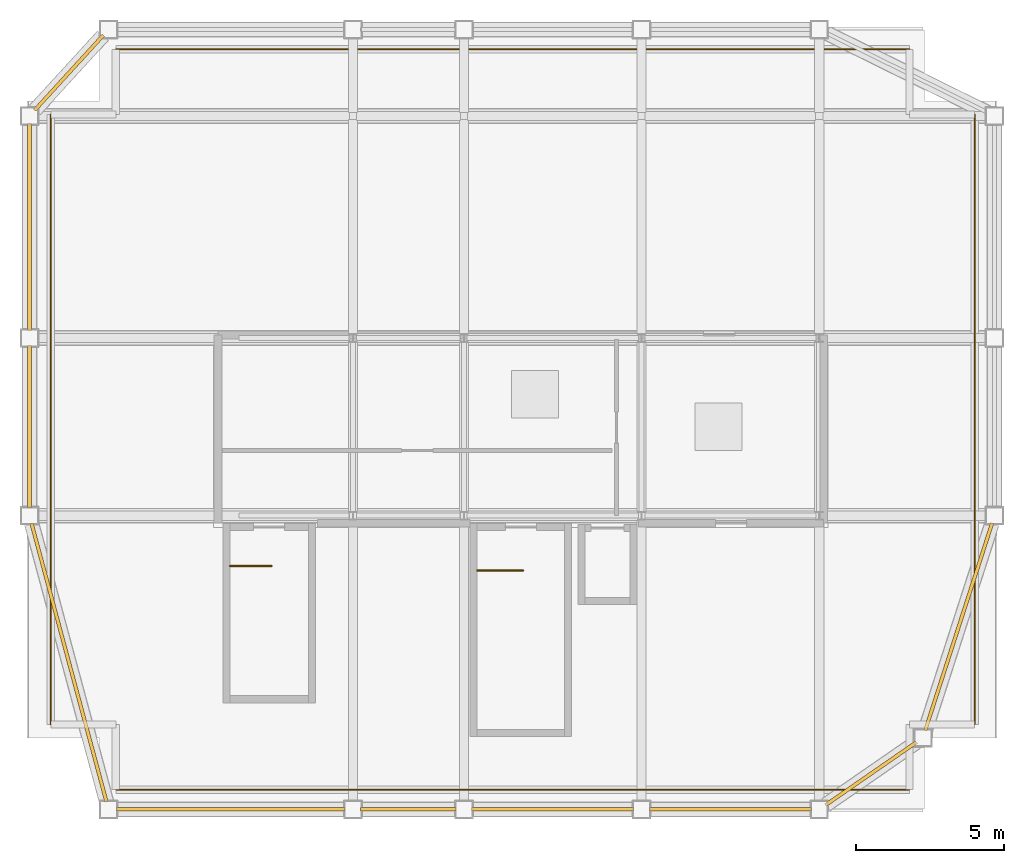
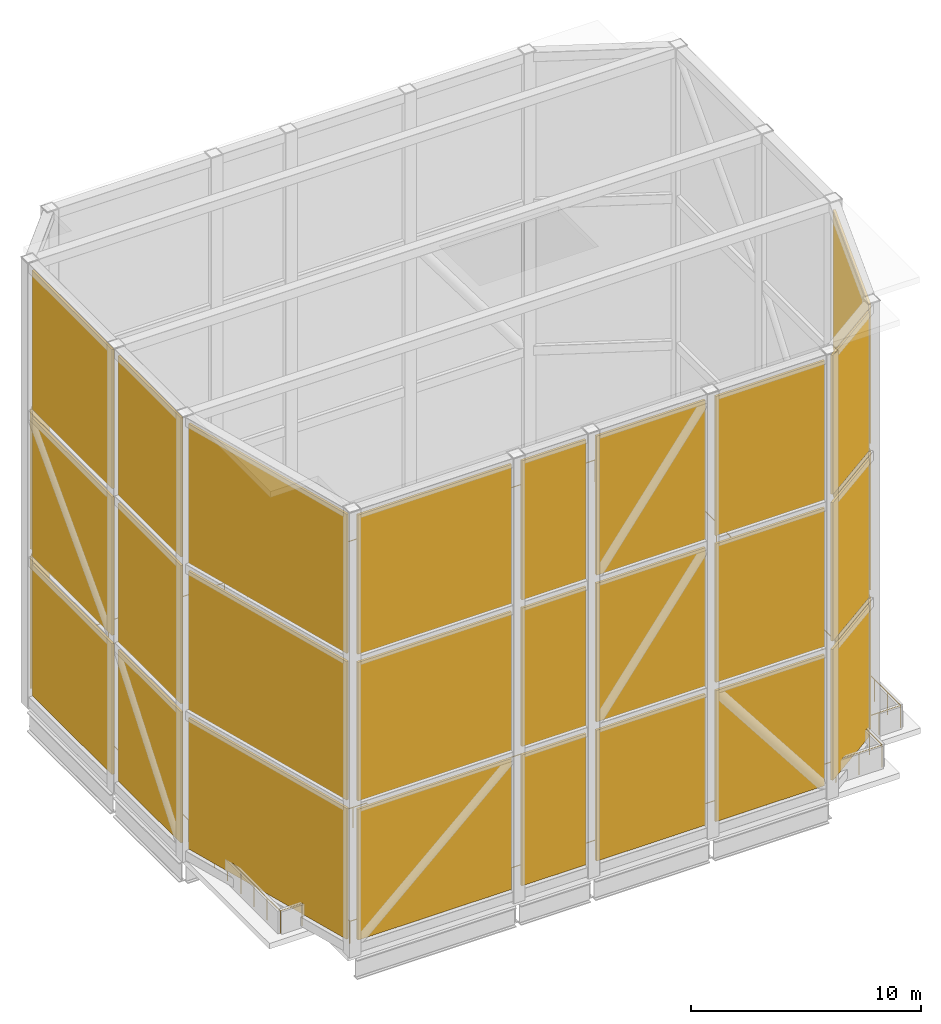
# One storey, part 5 of 6: 29 shading devices, 4 railings.
"""IFC4 building model written with IfcOpenShell, lengths in metres."""

from ifc_helpers import new_model, si_unit, direction, frame, origin, origin_2d, place, context, subcontext, project, spatial, rectangle, circle, extrude, material, layer, layer_set, type_object, element, save


model = new_model("IFC4")

# Units and contexts
model_context = context("Model", 3, precision=1e-05, world=origin(), true_north=direction((0.0, 1.0)))
body_context = subcontext(model_context, "Body", "Model", "MODEL_VIEW")
ifc_project = project(units=[si_unit("LENGTHUNIT", "METRE"), si_unit("AREAUNIT", "SQUARE_METRE"), si_unit("VOLUMEUNIT", "CUBIC_METRE"), si_unit("PLANEANGLEUNIT", "RADIAN"), si_unit("MASSUNIT", "GRAM", prefix="KILO")], contexts=[model_context])

# Site, building, storey
site_placement = place(None, origin())
site = spatial("IfcSite", under=ifc_project, at=site_placement, CompositionType="ELEMENT")
building_placement = place(site_placement, origin())
building = spatial("IfcBuilding", under=site, at=building_placement, Name="Brevholm Reach", CompositionType="ELEMENT")
storey_placement = place(building_placement, frame((0.0, 0.0, 251.449951171875)))
storey = spatial("IfcBuildingStorey", under=building, at=storey_placement, Name="RF", CompositionType="ELEMENT", Elevation=251.449951171875)

# Railings
ifc_material_1 = material(Name="Painted Tubular Galvanised Steel S275JR Stair Guard", Category="steel")
railing_type_1 = type_object("IfcRailingType", Name="RAL-STG-1120", PredefinedType="BALUSTRADE", material=ifc_material_1)
railing_1_placement = place(storey_placement, frame((42.449951171875, 8.14990234375, 0.0)))
element("IfcRailing", 1, at=railing_1_placement, inside=storey, type_object=railing_type_1, Name="RF ST-2 top well guard 1", PredefinedType="BALUSTRADE", context=body_context, shape_type="SweptSolid", body=[
    extrude(circle(Radius=0.02392578125, at=origin_2d()), frame((0.0, 0.0, 1.076171875), z_axis=(1.0, 0.0, 0.0), x_axis=(0.0, 1.0, 0.0)), (0.0, 0.0, 1.0), 1.550048828125),
    extrude(circle(Radius=0.02099609375, at=origin_2d()), origin(), (0.0, 0.0, 1.0), 1.052001953125),
    extrude(circle(Radius=0.02099609375, at=origin_2d()), frame((0.77490234375, 0.0, 0.0)), (0.0, 0.0, 1.0), 1.052001953125),
    extrude(circle(Radius=0.02099609375, at=origin_2d()), frame((1.550048828125, 0.0, 0.0)), (0.0, 0.0, 1.0), 1.052001953125),
])
railing_2_placement = place(storey_placement, frame((34.10009765625, 8.300048828125, 0.0)))
element("IfcRailing", 2, at=railing_2_placement, inside=storey, type_object=railing_type_1, Name="RF ST-3 top well guard 1", PredefinedType="BALUSTRADE", context=body_context, shape_type="SweptSolid", body=[
    extrude(circle(Radius=0.02392578125, at=origin_2d()), frame((0.0, 0.0, 1.076171875), z_axis=(1.0, 0.0, 0.0), x_axis=(0.0, 1.0, 0.0)), (0.0, 0.0, 1.0), 1.39990234375),
    extrude(circle(Radius=0.02099609375, at=origin_2d()), origin(), (0.0, 0.0, 1.0), 1.052001953125),
    extrude(circle(Radius=0.02099609375, at=origin_2d()), frame((0.699951171875, 0.0, 0.0)), (0.0, 0.0, 1.0), 1.052001953125),
    extrude(circle(Radius=0.02099609375, at=origin_2d()), frame((1.39990234375, 0.0, 0.0)), (0.0, 0.0, 1.0), 1.052001953125),
])
ifc_material_2 = material(Name="Brushed Stainless Steel EN 1.4401 and Laminated Glass", Category="steel")
railing_type_2 = type_object("IfcRailingType", Name="RAL-TERR-1200", PredefinedType="BALUSTRADE", material=ifc_material_2)
railing_3_placement = place(storey_placement, frame((30.25, 0.75, 0.0)))
element("IfcRailing", 3, at=railing_3_placement, inside=storey, type_object=railing_type_2, Name="RF Guard Balustrade RAL-RF-PERIM-S", PredefinedType="BALUSTRADE", context=body_context, shape_type="SweptSolid", body=[
    extrude(circle(Radius=0.02392578125, at=origin_2d()), frame((0.0, 0.0, 1.17578125), z_axis=(1.0, 0.0, 0.0), x_axis=(0.0, 1.0, 0.0)), (0.0, 0.0, 1.0), 26.800048828125),
    extrude(circle(Radius=0.02392578125, at=origin_2d()), frame((26.800048828125, 0.0, 1.17578125), z_axis=(0.0, 1.0, 0.0), x_axis=(-1.0, 0.0, 0.0)), (0.0, 0.0, 1.0), 2.199951171875),
    extrude(circle(Radius=0.02392578125, at=origin_2d()), frame((26.800048828125, 2.199951171875, 1.17578125), z_axis=(1.0, 0.0, 0.0), x_axis=(0.0, 1.0, 0.0)), (0.0, 0.0, 1.0), 2.199951171875),
    extrude(circle(Radius=0.02392578125, at=origin_2d()), frame((29.0, 2.199951171875, 1.17578125), z_axis=(0.0, 1.0, 0.0), x_axis=(-1.0, 0.0, 0.0)), (0.0, 0.0, 1.0), 20.60009765625),
    extrude(circle(Radius=0.02392578125, at=origin_2d()), frame((29.0, 22.800048828125, 1.17578125), z_axis=(-1.0, 0.0, 0.0), x_axis=(0.0, -1.0, 0.0)), (0.0, 0.0, 1.0), 2.199951171875),
    extrude(circle(Radius=0.02392578125, at=origin_2d()), frame((26.800048828125, 22.800048828125, 1.17578125), z_axis=(0.0, 1.0, 0.0), x_axis=(-1.0, 0.0, 0.0)), (0.0, 0.0, 1.0), 2.199951171875),
    extrude(circle(Radius=0.02099609375, at=origin_2d()), origin(), (0.0, 0.0, 1.0), 1.15185546875),
    extrude(circle(Radius=0.02099609375, at=origin_2d()), frame((1.165283203125, 0.0, 0.0)), (0.0, 0.0, 1.0), 1.15185546875),
    extrude(circle(Radius=0.02099609375, at=origin_2d()), frame((2.330322265625, 0.0, 0.0)), (0.0, 0.0, 1.0), 1.15185546875),
    extrude(circle(Radius=0.02099609375, at=origin_2d()), frame((3.49560546875, 0.0, 0.0)), (0.0, 0.0, 1.0), 1.15185546875),
    extrude(circle(Radius=0.02099609375, at=origin_2d()), frame((4.660888671875, 0.0, 0.0)), (0.0, 0.0, 1.0), 1.15185546875),
    extrude(circle(Radius=0.02099609375, at=origin_2d()), frame((5.826171875, 0.0, 0.0)), (0.0, 0.0, 1.0), 1.15185546875),
    extrude(circle(Radius=0.02099609375, at=origin_2d()), frame((6.9912109375, 0.0, 0.0)), (0.0, 0.0, 1.0), 1.15185546875),
    extrude(circle(Radius=0.02099609375, at=origin_2d()), frame((8.156494140625, 0.0, 0.0)), (0.0, 0.0, 1.0), 1.15185546875),
    extrude(circle(Radius=0.02099609375, at=origin_2d()), frame((9.32177734375, 0.0, 0.0)), (0.0, 0.0, 1.0), 1.15185546875),
    extrude(circle(Radius=0.02099609375, at=origin_2d()), frame((10.487060546875, 0.0, 0.0)), (0.0, 0.0, 1.0), 1.15185546875),
    extrude(circle(Radius=0.02099609375, at=origin_2d()), frame((11.652099609375, 0.0, 0.0)), (0.0, 0.0, 1.0), 1.15185546875),
    extrude(circle(Radius=0.02099609375, at=origin_2d()), frame((12.8173828125, 0.0, 0.0)), (0.0, 0.0, 1.0), 1.15185546875),
    extrude(circle(Radius=0.02099609375, at=origin_2d()), frame((13.982666015625, 0.0, 0.0)), (0.0, 0.0, 1.0), 1.15185546875),
    extrude(circle(Radius=0.02099609375, at=origin_2d()), frame((15.14794921875, 0.0, 0.0)), (0.0, 0.0, 1.0), 1.15185546875),
    extrude(circle(Radius=0.02099609375, at=origin_2d()), frame((16.31298828125, 0.0, 0.0)), (0.0, 0.0, 1.0), 1.15185546875),
    extrude(circle(Radius=0.02099609375, at=origin_2d()), frame((17.478271484375, 0.0, 0.0)), (0.0, 0.0, 1.0), 1.15185546875),
    extrude(circle(Radius=0.02099609375, at=origin_2d()), frame((18.6435546875, 0.0, 0.0)), (0.0, 0.0, 1.0), 1.15185546875),
    extrude(circle(Radius=0.02099609375, at=origin_2d()), frame((19.808837890625, 0.0, 0.0)), (0.0, 0.0, 1.0), 1.15185546875),
    extrude(circle(Radius=0.02099609375, at=origin_2d()), frame((20.973876953125, 0.0, 0.0)), (0.0, 0.0, 1.0), 1.15185546875),
    extrude(circle(Radius=0.02099609375, at=origin_2d()), frame((22.13916015625, 0.0, 0.0)), (0.0, 0.0, 1.0), 1.15185546875),
    extrude(circle(Radius=0.02099609375, at=origin_2d()), frame((23.304443359375, 0.0, 0.0)), (0.0, 0.0, 1.0), 1.15185546875),
    extrude(circle(Radius=0.02099609375, at=origin_2d()), frame((24.4697265625, 0.0, 0.0)), (0.0, 0.0, 1.0), 1.15185546875),
    extrude(circle(Radius=0.02099609375, at=origin_2d()), frame((25.634765625, 0.0, 0.0)), (0.0, 0.0, 1.0), 1.15185546875),
    extrude(circle(Radius=0.02099609375, at=origin_2d()), frame((26.800048828125, 0.0, 0.0)), (0.0, 0.0, 1.0), 1.15185546875),
    extrude(circle(Radius=0.02099609375, at=origin_2d()), frame((26.800048828125, 1.10009765625, 0.0)), (0.0, 0.0, 1.0), 1.15185546875),
    extrude(circle(Radius=0.02099609375, at=origin_2d()), frame((26.800048828125, 2.199951171875, 0.0)), (0.0, 0.0, 1.0), 1.15185546875),
    extrude(circle(Radius=0.02099609375, at=origin_2d()), frame((27.89990234375, 2.199951171875, 0.0)), (0.0, 0.0, 1.0), 1.15185546875),
    extrude(circle(Radius=0.02099609375, at=origin_2d()), frame((29.0, 2.199951171875, 0.0)), (0.0, 0.0, 1.0), 1.15185546875),
    extrude(circle(Radius=0.02099609375, at=origin_2d()), frame((29.0, 3.344482421875, 0.0)), (0.0, 0.0, 1.0), 1.15185546875),
    extrude(circle(Radius=0.02099609375, at=origin_2d()), frame((29.0, 4.48876953125, 0.0)), (0.0, 0.0, 1.0), 1.15185546875),
    extrude(circle(Radius=0.02099609375, at=origin_2d()), frame((29.0, 5.63330078125, 0.0)), (0.0, 0.0, 1.0), 1.15185546875),
    extrude(circle(Radius=0.02099609375, at=origin_2d()), frame((29.0, 6.77783203125, 0.0)), (0.0, 0.0, 1.0), 1.15185546875),
    extrude(circle(Radius=0.02099609375, at=origin_2d()), frame((29.0, 7.922119140625, 0.0)), (0.0, 0.0, 1.0), 1.15185546875),
    extrude(circle(Radius=0.02099609375, at=origin_2d()), frame((29.0, 9.066650390625, 0.0)), (0.0, 0.0, 1.0), 1.15185546875),
    extrude(circle(Radius=0.02099609375, at=origin_2d()), frame((29.0, 10.211181640625, 0.0)), (0.0, 0.0, 1.0), 1.15185546875),
    extrude(circle(Radius=0.02099609375, at=origin_2d()), frame((29.0, 11.35546875, 0.0)), (0.0, 0.0, 1.0), 1.15185546875),
    extrude(circle(Radius=0.02099609375, at=origin_2d()), frame((29.0, 12.5, 0.0)), (0.0, 0.0, 1.0), 1.15185546875),
    extrude(circle(Radius=0.02099609375, at=origin_2d()), frame((29.0, 13.64453125, 0.0)), (0.0, 0.0, 1.0), 1.15185546875),
    extrude(circle(Radius=0.02099609375, at=origin_2d()), frame((29.0, 14.788818359375, 0.0)), (0.0, 0.0, 1.0), 1.15185546875),
    extrude(circle(Radius=0.02099609375, at=origin_2d()), frame((29.0, 15.933349609375, 0.0)), (0.0, 0.0, 1.0), 1.15185546875),
    extrude(circle(Radius=0.02099609375, at=origin_2d()), frame((29.0, 17.077880859375, 0.0)), (0.0, 0.0, 1.0), 1.15185546875),
    extrude(circle(Radius=0.02099609375, at=origin_2d()), frame((29.0, 18.22216796875, 0.0)), (0.0, 0.0, 1.0), 1.15185546875),
    extrude(circle(Radius=0.02099609375, at=origin_2d()), frame((29.0, 19.36669921875, 0.0)), (0.0, 0.0, 1.0), 1.15185546875),
    extrude(circle(Radius=0.02099609375, at=origin_2d()), frame((29.0, 20.51123046875, 0.0)), (0.0, 0.0, 1.0), 1.15185546875),
    extrude(circle(Radius=0.02099609375, at=origin_2d()), frame((29.0, 21.655517578125, 0.0)), (0.0, 0.0, 1.0), 1.15185546875),
    extrude(circle(Radius=0.02099609375, at=origin_2d()), frame((29.0, 22.800048828125, 0.0)), (0.0, 0.0, 1.0), 1.15185546875),
    extrude(circle(Radius=0.02099609375, at=origin_2d()), frame((27.89990234375, 22.800048828125, 0.0)), (0.0, 0.0, 1.0), 1.15185546875),
    extrude(circle(Radius=0.02099609375, at=origin_2d()), frame((26.800048828125, 22.800048828125, 0.0)), (0.0, 0.0, 1.0), 1.15185546875),
    extrude(circle(Radius=0.02099609375, at=origin_2d()), frame((26.800048828125, 23.89990234375, 0.0)), (0.0, 0.0, 1.0), 1.15185546875),
    extrude(circle(Radius=0.02099609375, at=origin_2d()), frame((26.800048828125, 25.0, 0.0)), (0.0, 0.0, 1.0), 1.15185546875),
])
railing_4_placement = place(storey_placement, frame((57.050048828125, 25.75, 0.0)))
element("IfcRailing", 4, at=railing_4_placement, inside=storey, type_object=railing_type_2, Name="RF Guard Balustrade RAL-RF-PERIM-N", PredefinedType="BALUSTRADE", context=body_context, shape_type="SweptSolid", body=[
    extrude(circle(Radius=0.02392578125, at=origin_2d()), frame((0.0, 0.0, 1.17578125), z_axis=(-1.0, 0.0, 0.0), x_axis=(0.0, -1.0, 0.0)), (0.0, 0.0, 1.0), 26.800048828125),
    extrude(circle(Radius=0.02392578125, at=origin_2d()), frame((-26.800048828125, 0.0, 1.17578125), z_axis=(0.0, -1.0, 0.0), x_axis=(1.0, 0.0, 0.0)), (0.0, 0.0, 1.0), 2.199951171875),
    extrude(circle(Radius=0.02392578125, at=origin_2d()), frame((-26.800048828125, -2.199951171875, 1.17578125), z_axis=(-1.0, 0.0, 0.0), x_axis=(0.0, -1.0, 0.0)), (0.0, 0.0, 1.0), 2.199951171875),
    extrude(circle(Radius=0.02392578125, at=origin_2d()), frame((-29.0, -2.199951171875, 1.17578125), z_axis=(0.0, -1.0, 0.0), x_axis=(1.0, 0.0, 0.0)), (0.0, 0.0, 1.0), 20.60009765625),
    extrude(circle(Radius=0.02392578125, at=origin_2d()), frame((-29.0, -22.800048828125, 1.17578125), z_axis=(1.0, 0.0, 0.0), x_axis=(0.0, 1.0, 0.0)), (0.0, 0.0, 1.0), 2.199951171875),
    extrude(circle(Radius=0.02392578125, at=origin_2d()), frame((-26.800048828125, -22.800048828125, 1.17578125), z_axis=(0.018196964281, -0.999834421537, 0.0), x_axis=(0.999834421537, 0.018196964281, 0.0)), (0.0, 0.0, 1.0), 2.2001953125),
    extrude(circle(Radius=0.02099609375, at=origin_2d()), origin(), (0.0, 0.0, 1.0), 1.15185546875),
    extrude(circle(Radius=0.02099609375, at=origin_2d()), frame((-1.165283203125, 0.0, 0.0)), (0.0, 0.0, 1.0), 1.15185546875),
    extrude(circle(Radius=0.02099609375, at=origin_2d()), frame((-2.330322265625, 0.0, 0.0)), (0.0, 0.0, 1.0), 1.15185546875),
    extrude(circle(Radius=0.02099609375, at=origin_2d()), frame((-3.49560546875, 0.0, 0.0)), (0.0, 0.0, 1.0), 1.15185546875),
    extrude(circle(Radius=0.02099609375, at=origin_2d()), frame((-4.660888671875, 0.0, 0.0)), (0.0, 0.0, 1.0), 1.15185546875),
    extrude(circle(Radius=0.02099609375, at=origin_2d()), frame((-5.826171875, 0.0, 0.0)), (0.0, 0.0, 1.0), 1.15185546875),
    extrude(circle(Radius=0.02099609375, at=origin_2d()), frame((-6.9912109375, 0.0, 0.0)), (0.0, 0.0, 1.0), 1.15185546875),
    extrude(circle(Radius=0.02099609375, at=origin_2d()), frame((-8.156494140625, 0.0, 0.0)), (0.0, 0.0, 1.0), 1.15185546875),
    extrude(circle(Radius=0.02099609375, at=origin_2d()), frame((-9.32177734375, 0.0, 0.0)), (0.0, 0.0, 1.0), 1.15185546875),
    extrude(circle(Radius=0.02099609375, at=origin_2d()), frame((-10.487060546875, 0.0, 0.0)), (0.0, 0.0, 1.0), 1.15185546875),
    extrude(circle(Radius=0.02099609375, at=origin_2d()), frame((-11.652099609375, 0.0, 0.0)), (0.0, 0.0, 1.0), 1.15185546875),
    extrude(circle(Radius=0.02099609375, at=origin_2d()), frame((-12.8173828125, 0.0, 0.0)), (0.0, 0.0, 1.0), 1.15185546875),
    extrude(circle(Radius=0.02099609375, at=origin_2d()), frame((-13.982666015625, 0.0, 0.0)), (0.0, 0.0, 1.0), 1.15185546875),
    extrude(circle(Radius=0.02099609375, at=origin_2d()), frame((-15.14794921875, 0.0, 0.0)), (0.0, 0.0, 1.0), 1.15185546875),
    extrude(circle(Radius=0.02099609375, at=origin_2d()), frame((-16.31298828125, 0.0, 0.0)), (0.0, 0.0, 1.0), 1.15185546875),
    extrude(circle(Radius=0.02099609375, at=origin_2d()), frame((-17.478271484375, 0.0, 0.0)), (0.0, 0.0, 1.0), 1.15185546875),
    extrude(circle(Radius=0.02099609375, at=origin_2d()), frame((-18.6435546875, 0.0, 0.0)), (0.0, 0.0, 1.0), 1.15185546875),
    extrude(circle(Radius=0.02099609375, at=origin_2d()), frame((-19.808837890625, 0.0, 0.0)), (0.0, 0.0, 1.0), 1.15185546875),
    extrude(circle(Radius=0.02099609375, at=origin_2d()), frame((-20.973876953125, 0.0, 0.0)), (0.0, 0.0, 1.0), 1.15185546875),
    extrude(circle(Radius=0.02099609375, at=origin_2d()), frame((-22.13916015625, 0.0, 0.0)), (0.0, 0.0, 1.0), 1.15185546875),
    extrude(circle(Radius=0.02099609375, at=origin_2d()), frame((-23.304443359375, 0.0, 0.0)), (0.0, 0.0, 1.0), 1.15185546875),
    extrude(circle(Radius=0.02099609375, at=origin_2d()), frame((-24.4697265625, 0.0, 0.0)), (0.0, 0.0, 1.0), 1.15185546875),
    extrude(circle(Radius=0.02099609375, at=origin_2d()), frame((-25.634765625, 0.0, 0.0)), (0.0, 0.0, 1.0), 1.15185546875),
    extrude(circle(Radius=0.02099609375, at=origin_2d()), frame((-26.800048828125, 0.0, 0.0)), (0.0, 0.0, 1.0), 1.15185546875),
    extrude(circle(Radius=0.02099609375, at=origin_2d()), frame((-26.800048828125, -1.10009765625, 0.0)), (0.0, 0.0, 1.0), 1.15185546875),
    extrude(circle(Radius=0.02099609375, at=origin_2d()), frame((-26.800048828125, -2.199951171875, 0.0)), (0.0, 0.0, 1.0), 1.15185546875),
    extrude(circle(Radius=0.02099609375, at=origin_2d()), frame((-27.89990234375, -2.199951171875, 0.0)), (0.0, 0.0, 1.0), 1.15185546875),
    extrude(circle(Radius=0.02099609375, at=origin_2d()), frame((-29.0, -2.199951171875, 0.0)), (0.0, 0.0, 1.0), 1.15185546875),
    extrude(circle(Radius=0.02099609375, at=origin_2d()), frame((-29.0, -3.344482421875, 0.0)), (0.0, 0.0, 1.0), 1.15185546875),
    extrude(circle(Radius=0.02099609375, at=origin_2d()), frame((-29.0, -4.48876953125, 0.0)), (0.0, 0.0, 1.0), 1.15185546875),
    extrude(circle(Radius=0.02099609375, at=origin_2d()), frame((-29.0, -5.63330078125, 0.0)), (0.0, 0.0, 1.0), 1.15185546875),
    extrude(circle(Radius=0.02099609375, at=origin_2d()), frame((-29.0, -6.77783203125, 0.0)), (0.0, 0.0, 1.0), 1.15185546875),
    extrude(circle(Radius=0.02099609375, at=origin_2d()), frame((-29.0, -7.922119140625, 0.0)), (0.0, 0.0, 1.0), 1.15185546875),
    extrude(circle(Radius=0.02099609375, at=origin_2d()), frame((-29.0, -9.066650390625, 0.0)), (0.0, 0.0, 1.0), 1.15185546875),
    extrude(circle(Radius=0.02099609375, at=origin_2d()), frame((-29.0, -10.211181640625, 0.0)), (0.0, 0.0, 1.0), 1.15185546875),
    extrude(circle(Radius=0.02099609375, at=origin_2d()), frame((-29.0, -11.35546875, 0.0)), (0.0, 0.0, 1.0), 1.15185546875),
    extrude(circle(Radius=0.02099609375, at=origin_2d()), frame((-29.0, -12.5, 0.0)), (0.0, 0.0, 1.0), 1.15185546875),
    extrude(circle(Radius=0.02099609375, at=origin_2d()), frame((-29.0, -13.64453125, 0.0)), (0.0, 0.0, 1.0), 1.15185546875),
    extrude(circle(Radius=0.02099609375, at=origin_2d()), frame((-29.0, -14.788818359375, 0.0)), (0.0, 0.0, 1.0), 1.15185546875),
    extrude(circle(Radius=0.02099609375, at=origin_2d()), frame((-29.0, -15.933349609375, 0.0)), (0.0, 0.0, 1.0), 1.15185546875),
    extrude(circle(Radius=0.02099609375, at=origin_2d()), frame((-29.0, -17.077880859375, 0.0)), (0.0, 0.0, 1.0), 1.15185546875),
    extrude(circle(Radius=0.02099609375, at=origin_2d()), frame((-29.0, -18.22216796875, 0.0)), (0.0, 0.0, 1.0), 1.15185546875),
    extrude(circle(Radius=0.02099609375, at=origin_2d()), frame((-29.0, -19.36669921875, 0.0)), (0.0, 0.0, 1.0), 1.15185546875),
    extrude(circle(Radius=0.02099609375, at=origin_2d()), frame((-29.0, -20.51123046875, 0.0)), (0.0, 0.0, 1.0), 1.15185546875),
    extrude(circle(Radius=0.02099609375, at=origin_2d()), frame((-29.0, -21.655517578125, 0.0)), (0.0, 0.0, 1.0), 1.15185546875),
    extrude(circle(Radius=0.02099609375, at=origin_2d()), frame((-29.0, -22.800048828125, 0.0)), (0.0, 0.0, 1.0), 1.15185546875),
    extrude(circle(Radius=0.02099609375, at=origin_2d()), frame((-27.89990234375, -22.800048828125, 0.0)), (0.0, 0.0, 1.0), 1.15185546875),
    extrude(circle(Radius=0.02099609375, at=origin_2d()), frame((-26.800048828125, -22.800048828125, 0.0)), (0.0, 0.0, 1.0), 1.15185546875),
    extrude(circle(Radius=0.02099609375, at=origin_2d()), frame((-26.780029296875, -23.89990234375, 0.0)), (0.0, 0.0, 1.0), 1.15185546875),
    extrude(circle(Radius=0.02099609375, at=origin_2d()), frame((-26.760009765625, -25.0, 0.0)), (0.0, 0.0, 1.0), 1.15185546875),
])

# Shading devices
ifc_material_3 = material(Name="Perforated Champagne-Bronze Anodised Aluminium", Category="aluminium")
ifc_layer = layer(ifc_material_3, 0.1201171875)
ifc_layer_set = layer_set([ifc_layer], Name="Perforated Champagne-Bronze Anodised Aluminium")
shading_device_type = type_object("IfcShadingDeviceType", Name="SHD-CRN-120", PredefinedType="USERDEFINED", material=ifc_layer_set)
shading_device_1_placement = place(storey_placement, frame((34.125, 0.080078125, 0.6201171875), z_axis=(0.0, 0.0, 1.0), x_axis=(1.0, 0.0, 0.0)))
element("IfcShadingDevice", 5, at=shading_device_1_placement, inside=storey, type_object=shading_device_type, Name="Crown Perforated Solar Screen Panel 1.1", ObjectType="SCREEN", PredefinedType="USERDEFINED", context=body_context, shape_type="SweptSolid", body=[
    extrude(rectangle(XDim=7.72998046875, YDim=0.1201171875, at=origin_2d()), origin(), (0.0, 0.0, 1.0), 6.9599609375),
])
shading_device_2_placement = place(storey_placement, frame((34.125, 0.080078125, 8.02001953125), z_axis=(0.0, 0.0, 1.0), x_axis=(1.0, 0.0, 0.0)))
element("IfcShadingDevice", 6, at=shading_device_2_placement, inside=storey, type_object=shading_device_type, Name="Crown Perforated Solar Screen Panel 1.2", ObjectType="SCREEN", PredefinedType="USERDEFINED", context=body_context, shape_type="SweptSolid", body=[
    extrude(rectangle(XDim=7.72998046875, YDim=0.1201171875, at=origin_2d()), origin(), (0.0, 0.0, 1.0), 7.360107421875),
])
shading_device_3_placement = place(storey_placement, frame((34.125, 0.080078125, 15.820068359375), z_axis=(0.0, 0.0, 1.0), x_axis=(1.0, 0.0, 0.0)))
element("IfcShadingDevice", 7, at=shading_device_3_placement, inside=storey, type_object=shading_device_type, Name="Crown Perforated Solar Screen Panel 1.3", ObjectType="SCREEN", PredefinedType="USERDEFINED", context=body_context, shape_type="SweptSolid", body=[
    extrude(rectangle(XDim=7.72998046875, YDim=0.1201171875, at=origin_2d()), origin(), (0.0, 0.0, 1.0), 7.39990234375),
])
shading_device_4_placement = place(storey_placement, frame((40.125, 0.080078125, 0.6201171875), z_axis=(0.0, 0.0, 1.0), x_axis=(1.0, 0.0, 0.0)))
element("IfcShadingDevice", 8, at=shading_device_4_placement, inside=storey, type_object=shading_device_type, Name="Crown Perforated Solar Screen Panel 2.1", ObjectType="SCREEN", PredefinedType="USERDEFINED", context=body_context, shape_type="SweptSolid", body=[
    extrude(rectangle(XDim=3.22998046875, YDim=0.1201171875, at=origin_2d()), origin(), (0.0, 0.0, 1.0), 6.9599609375),
])
shading_device_5_placement = place(storey_placement, frame((40.125, 0.080078125, 8.02001953125), z_axis=(0.0, 0.0, 1.0), x_axis=(1.0, 0.0, 0.0)))
element("IfcShadingDevice", 9, at=shading_device_5_placement, inside=storey, type_object=shading_device_type, Name="Crown Perforated Solar Screen Panel 2.2", ObjectType="SCREEN", PredefinedType="USERDEFINED", context=body_context, shape_type="SweptSolid", body=[
    extrude(rectangle(XDim=3.22998046875, YDim=0.1201171875, at=origin_2d()), origin(), (0.0, 0.0, 1.0), 7.360107421875),
])
shading_device_6_placement = place(storey_placement, frame((40.125, 0.080078125, 15.820068359375), z_axis=(0.0, 0.0, 1.0), x_axis=(1.0, 0.0, 0.0)))
element("IfcShadingDevice", 10, at=shading_device_6_placement, inside=storey, type_object=shading_device_type, Name="Crown Perforated Solar Screen Panel 2.3", ObjectType="SCREEN", PredefinedType="USERDEFINED", context=body_context, shape_type="SweptSolid", body=[
    extrude(rectangle(XDim=3.22998046875, YDim=0.1201171875, at=origin_2d()), origin(), (0.0, 0.0, 1.0), 7.39990234375),
])
shading_device_7_placement = place(storey_placement, frame((45.0, 0.080078125, 0.6201171875), z_axis=(0.0, 0.0, 1.0), x_axis=(1.0, 0.0, 0.0)))
element("IfcShadingDevice", 11, at=shading_device_7_placement, inside=storey, type_object=shading_device_type, Name="Crown Perforated Solar Screen Panel 3.1", ObjectType="SCREEN", PredefinedType="USERDEFINED", context=body_context, shape_type="SweptSolid", body=[
    extrude(rectangle(XDim=5.47998046875, YDim=0.1201171875, at=origin_2d()), origin(), (0.0, 0.0, 1.0), 6.9599609375),
])
shading_device_8_placement = place(storey_placement, frame((45.0, 0.080078125, 8.02001953125), z_axis=(0.0, 0.0, 1.0), x_axis=(1.0, 0.0, 0.0)))
element("IfcShadingDevice", 12, at=shading_device_8_placement, inside=storey, type_object=shading_device_type, Name="Crown Perforated Solar Screen Panel 3.2", ObjectType="SCREEN", PredefinedType="USERDEFINED", context=body_context, shape_type="SweptSolid", body=[
    extrude(rectangle(XDim=5.47998046875, YDim=0.1201171875, at=origin_2d()), origin(), (0.0, 0.0, 1.0), 7.360107421875),
])
shading_device_9_placement = place(storey_placement, frame((45.0, 0.080078125, 15.820068359375), z_axis=(0.0, 0.0, 1.0), x_axis=(1.0, 0.0, 0.0)))
element("IfcShadingDevice", 13, at=shading_device_9_placement, inside=storey, type_object=shading_device_type, Name="Crown Perforated Solar Screen Panel 3.3", ObjectType="SCREEN", PredefinedType="USERDEFINED", context=body_context, shape_type="SweptSolid", body=[
    extrude(rectangle(XDim=5.47998046875, YDim=0.1201171875, at=origin_2d()), origin(), (0.0, 0.0, 1.0), 7.39990234375),
])
shading_device_10_placement = place(storey_placement, frame((51.0, 0.080078125, 0.6201171875), z_axis=(0.0, 0.0, 1.0), x_axis=(1.0, 0.0, 0.0)))
element("IfcShadingDevice", 14, at=shading_device_10_placement, inside=storey, type_object=shading_device_type, Name="Crown Perforated Solar Screen Panel 4.1", ObjectType="SCREEN", PredefinedType="USERDEFINED", context=body_context, shape_type="SweptSolid", body=[
    extrude(rectangle(XDim=5.47998046875, YDim=0.1201171875, at=origin_2d()), origin(), (0.0, 0.0, 1.0), 6.9599609375),
])
shading_device_11_placement = place(storey_placement, frame((51.0, 0.080078125, 8.02001953125), z_axis=(0.0, 0.0, 1.0), x_axis=(1.0, 0.0, 0.0)))
element("IfcShadingDevice", 15, at=shading_device_11_placement, inside=storey, type_object=shading_device_type, Name="Crown Perforated Solar Screen Panel 4.2", ObjectType="SCREEN", PredefinedType="USERDEFINED", context=body_context, shape_type="SweptSolid", body=[
    extrude(rectangle(XDim=5.47998046875, YDim=0.1201171875, at=origin_2d()), origin(), (0.0, 0.0, 1.0), 7.360107421875),
])
shading_device_12_placement = place(storey_placement, frame((51.0, 0.080078125, 15.820068359375), z_axis=(0.0, 0.0, 1.0), x_axis=(1.0, 0.0, 0.0)))
element("IfcShadingDevice", 16, at=shading_device_12_placement, inside=storey, type_object=shading_device_type, Name="Crown Perforated Solar Screen Panel 4.3", ObjectType="SCREEN", PredefinedType="USERDEFINED", context=body_context, shape_type="SweptSolid", body=[
    extrude(rectangle(XDim=5.47998046875, YDim=0.1201171875, at=origin_2d()), origin(), (0.0, 0.0, 1.0), 7.39990234375),
])
shading_device_13_placement = place(storey_placement, frame((55.75, 1.2900390625, 0.6201171875), z_axis=(0.0, 0.0, 1.0), x_axis=(0.822530354217, 0.568721211484, 0.0)))
element("IfcShadingDevice", 17, at=shading_device_13_placement, inside=storey, type_object=shading_device_type, Name="Crown Perforated Solar Screen Panel 5.1", ObjectType="SCREEN", PredefinedType="USERDEFINED", context=body_context, shape_type="SweptSolid", body=[
    extrude(rectangle(XDim=3.735107421875, YDim=0.1201171875, at=origin_2d()), origin(), (0.0, 0.0, 1.0), 6.9599609375),
])
shading_device_14_placement = place(storey_placement, frame((55.75, 1.2900390625, 8.02001953125), z_axis=(0.0, 0.0, 1.0), x_axis=(0.822530354217, 0.568721211484, 0.0)))
element("IfcShadingDevice", 18, at=shading_device_14_placement, inside=storey, type_object=shading_device_type, Name="Crown Perforated Solar Screen Panel 5.2", ObjectType="SCREEN", PredefinedType="USERDEFINED", context=body_context, shape_type="SweptSolid", body=[
    extrude(rectangle(XDim=3.735107421875, YDim=0.1201171875, at=origin_2d()), origin(), (0.0, 0.0, 1.0), 7.360107421875),
])
shading_device_15_placement = place(storey_placement, frame((55.75, 1.2900390625, 15.820068359375), z_axis=(0.0, 0.0, 1.0), x_axis=(0.822530354217, 0.568721211484, 0.0)))
element("IfcShadingDevice", 19, at=shading_device_15_placement, inside=storey, type_object=shading_device_type, Name="Crown Perforated Solar Screen Panel 5.3", ObjectType="SCREEN", PredefinedType="USERDEFINED", context=body_context, shape_type="SweptSolid", body=[
    extrude(rectangle(XDim=3.735107421875, YDim=0.1201171875, at=origin_2d()), origin(), (0.0, 0.0, 1.0), 7.39990234375),
])
shading_device_16_placement = place(storey_placement, frame((58.7099609375, 6.25, 0.6201171875), z_axis=(0.0, 0.0, 1.0), x_axis=(0.307077582539, 0.951684484639, 0.0)))
element("IfcShadingDevice", 20, at=shading_device_16_placement, inside=storey, type_object=shading_device_type, Name="Crown Perforated Solar Screen Panel 6.1", ObjectType="SCREEN", PredefinedType="USERDEFINED", context=body_context, shape_type="SweptSolid", body=[
    extrude(rectangle(XDim=7.36083984375, YDim=0.1201171875, at=origin_2d()), origin(), (0.0, 0.0, 1.0), 6.9599609375),
])
shading_device_17_placement = place(storey_placement, frame((58.7099609375, 6.25, 8.02001953125), z_axis=(0.0, 0.0, 1.0), x_axis=(0.307077582539, 0.951684484639, 0.0)))
element("IfcShadingDevice", 21, at=shading_device_17_placement, inside=storey, type_object=shading_device_type, Name="Crown Perforated Solar Screen Panel 6.2", ObjectType="SCREEN", PredefinedType="USERDEFINED", context=body_context, shape_type="SweptSolid", body=[
    extrude(rectangle(XDim=7.36083984375, YDim=0.1201171875, at=origin_2d()), origin(), (0.0, 0.0, 1.0), 7.360107421875),
])
shading_device_18_placement = place(storey_placement, frame((58.7099609375, 6.25, 15.820068359375), z_axis=(0.0, 0.0, 1.0), x_axis=(0.307077582539, 0.951684484639, 0.0)))
element("IfcShadingDevice", 22, at=shading_device_18_placement, inside=storey, type_object=shading_device_type, Name="Crown Perforated Solar Screen Panel 6.3", ObjectType="SCREEN", PredefinedType="USERDEFINED", context=body_context, shape_type="SweptSolid", body=[
    extrude(rectangle(XDim=7.36083984375, YDim=0.1201171875, at=origin_2d()), origin(), (0.0, 0.0, 1.0), 7.39990234375),
])
shading_device_19_placement = place(storey_placement, frame((28.6650390625, 24.9599609375, 0.6201171875), z_axis=(0.0, 0.0, 1.0), x_axis=(-0.674808746071, -0.737992653234, 0.0)))
element("IfcShadingDevice", 23, at=shading_device_19_placement, inside=storey, type_object=shading_device_type, Name="Crown Perforated Solar Screen Panel 14.1", ObjectType="SCREEN", PredefinedType="USERDEFINED", context=body_context, shape_type="SweptSolid", body=[
    extrude(rectangle(XDim=3.436767578125, YDim=0.1201171875, at=origin_2d()), origin(), (0.0, 0.0, 1.0), 6.9599609375),
])
shading_device_20_placement = place(storey_placement, frame((28.6650390625, 24.9599609375, 8.02001953125), z_axis=(0.0, 0.0, 1.0), x_axis=(-0.674808746071, -0.737992653234, 0.0)))
element("IfcShadingDevice", 24, at=shading_device_20_placement, inside=storey, type_object=shading_device_type, Name="Crown Perforated Solar Screen Panel 14.2", ObjectType="SCREEN", PredefinedType="USERDEFINED", context=body_context, shape_type="SweptSolid", body=[
    extrude(rectangle(XDim=3.436767578125, YDim=0.1201171875, at=origin_2d()), origin(), (0.0, 0.0, 1.0), 7.360107421875),
])
shading_device_21_placement = place(storey_placement, frame((27.330078125, 19.75, 0.6201171875), z_axis=(0.0, 0.0, 1.0), x_axis=(0.0, -1.0, 0.0)))
element("IfcShadingDevice", 25, at=shading_device_21_placement, inside=storey, type_object=shading_device_type, Name="Crown Perforated Solar Screen Panel 15.1", ObjectType="SCREEN", PredefinedType="USERDEFINED", context=body_context, shape_type="SweptSolid", body=[
    extrude(rectangle(XDim=6.97998046875, YDim=0.1201171875, at=origin_2d()), origin(), (0.0, 0.0, 1.0), 6.9599609375),
])
shading_device_22_placement = place(storey_placement, frame((27.330078125, 19.75, 8.02001953125), z_axis=(0.0, 0.0, 1.0), x_axis=(0.0, -1.0, 0.0)))
element("IfcShadingDevice", 26, at=shading_device_22_placement, inside=storey, type_object=shading_device_type, Name="Crown Perforated Solar Screen Panel 15.2", ObjectType="SCREEN", PredefinedType="USERDEFINED", context=body_context, shape_type="SweptSolid", body=[
    extrude(rectangle(XDim=6.97998046875, YDim=0.1201171875, at=origin_2d()), origin(), (0.0, 0.0, 1.0), 7.360107421875),
])
shading_device_23_placement = place(storey_placement, frame((27.330078125, 19.75, 15.820068359375), z_axis=(0.0, 0.0, 1.0), x_axis=(0.0, -1.0, 0.0)))
element("IfcShadingDevice", 27, at=shading_device_23_placement, inside=storey, type_object=shading_device_type, Name="Crown Perforated Solar Screen Panel 15.3", ObjectType="SCREEN", PredefinedType="USERDEFINED", context=body_context, shape_type="SweptSolid", body=[
    extrude(rectangle(XDim=6.97998046875, YDim=0.1201171875, at=origin_2d()), origin(), (0.0, 0.0, 1.0), 7.39990234375),
])
shading_device_24_placement = place(storey_placement, frame((27.330078125, 13.0, 0.6201171875), z_axis=(0.0, 0.0, 1.0), x_axis=(0.0, -1.0, 0.0)))
element("IfcShadingDevice", 28, at=shading_device_24_placement, inside=storey, type_object=shading_device_type, Name="Crown Perforated Solar Screen Panel 16.1", ObjectType="SCREEN", PredefinedType="USERDEFINED", context=body_context, shape_type="SweptSolid", body=[
    extrude(rectangle(XDim=5.47998046875, YDim=0.1201171875, at=origin_2d()), origin(), (0.0, 0.0, 1.0), 6.9599609375),
])
shading_device_25_placement = place(storey_placement, frame((27.330078125, 13.0, 8.02001953125), z_axis=(0.0, 0.0, 1.0), x_axis=(0.0, -1.0, 0.0)))
element("IfcShadingDevice", 29, at=shading_device_25_placement, inside=storey, type_object=shading_device_type, Name="Crown Perforated Solar Screen Panel 16.2", ObjectType="SCREEN", PredefinedType="USERDEFINED", context=body_context, shape_type="SweptSolid", body=[
    extrude(rectangle(XDim=5.47998046875, YDim=0.1201171875, at=origin_2d()), origin(), (0.0, 0.0, 1.0), 7.360107421875),
])
shading_device_26_placement = place(storey_placement, frame((27.330078125, 13.0, 15.820068359375), z_axis=(0.0, 0.0, 1.0), x_axis=(0.0, -1.0, 0.0)))
element("IfcShadingDevice", 30, at=shading_device_26_placement, inside=storey, type_object=shading_device_type, Name="Crown Perforated Solar Screen Panel 16.3", ObjectType="SCREEN", PredefinedType="USERDEFINED", context=body_context, shape_type="SweptSolid", body=[
    extrude(rectangle(XDim=5.47998046875, YDim=0.1201171875, at=origin_2d()), origin(), (0.0, 0.0, 1.0), 7.39990234375),
])
shading_device_27_placement = place(storey_placement, frame((28.6650390625, 5.0400390625, 0.6201171875), z_axis=(0.0, 0.0, 1.0), x_axis=(0.259902888971, -0.965634759267, 0.0)))
element("IfcShadingDevice", 31, at=shading_device_27_placement, inside=storey, type_object=shading_device_type, Name="Crown Perforated Solar Screen Panel 17.1", ObjectType="SCREEN", PredefinedType="USERDEFINED", context=body_context, shape_type="SweptSolid", body=[
    extrude(rectangle(XDim=9.7529296875, YDim=0.1201171875, at=origin_2d()), origin(), (0.0, 0.0, 1.0), 6.9599609375),
])
shading_device_28_placement = place(storey_placement, frame((28.6650390625, 5.0400390625, 8.02001953125), z_axis=(0.0, 0.0, 1.0), x_axis=(0.259902888971, -0.965634759267, 0.0)))
element("IfcShadingDevice", 32, at=shading_device_28_placement, inside=storey, type_object=shading_device_type, Name="Crown Perforated Solar Screen Panel 17.2", ObjectType="SCREEN", PredefinedType="USERDEFINED", context=body_context, shape_type="SweptSolid", body=[
    extrude(rectangle(XDim=9.7529296875, YDim=0.1201171875, at=origin_2d()), origin(), (0.0, 0.0, 1.0), 7.360107421875),
])
shading_device_29_placement = place(storey_placement, frame((28.6650390625, 5.0400390625, 15.820068359375), z_axis=(0.0, 0.0, 1.0), x_axis=(0.259902888971, -0.965634759267, 0.0)))
element("IfcShadingDevice", 33, at=shading_device_29_placement, inside=storey, type_object=shading_device_type, Name="Crown Perforated Solar Screen Panel 17.3", ObjectType="SCREEN", PredefinedType="USERDEFINED", context=body_context, shape_type="SweptSolid", body=[
    extrude(rectangle(XDim=9.7529296875, YDim=0.1201171875, at=origin_2d()), origin(), (0.0, 0.0, 1.0), 7.39990234375),
])

save(model, "model.ifc")
